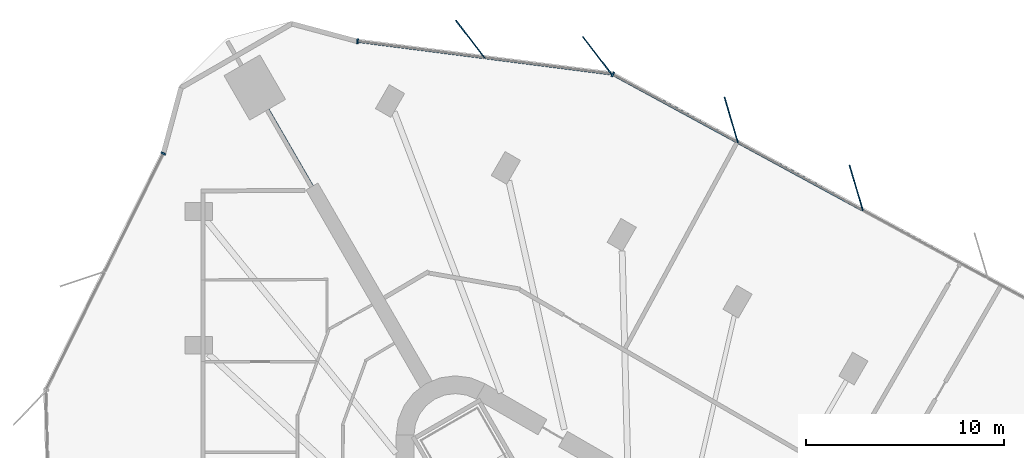
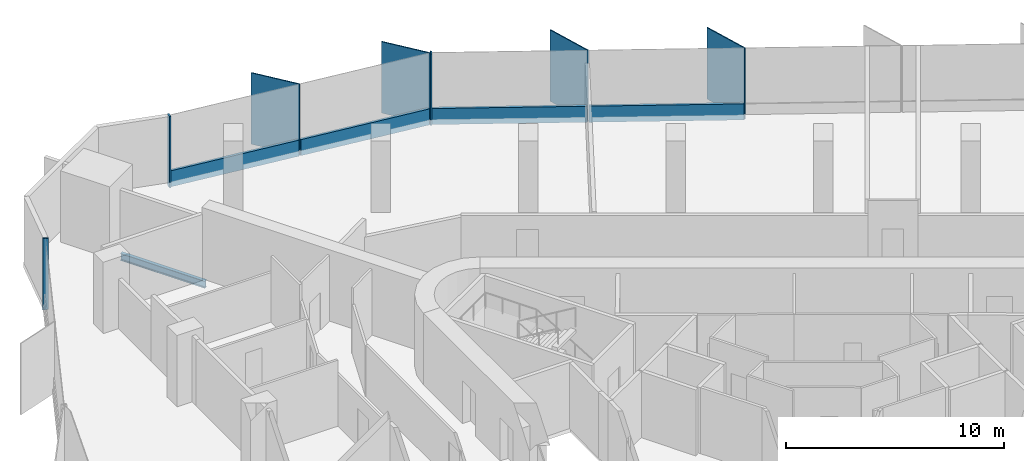
# One storey, part 6 of 14: 11 members, 1 beam, 3 elements without a shape of their own.
"""IFC4 building model written with IfcOpenShell, lengths in metres."""

from ifc_helpers import new_model, si_unit, direction, frame, origin, origin_2d, place, context, subcontext, project, spatial, rectangle, i_section, extrude, material, material_profile, profile_set, type_object, element, aggregate, save


model = new_model("IFC4")

# Units and contexts
model_context = context("Model", 3, precision=1e-05, world=origin(), true_north=direction((0.0, 1.0)))
body_context = subcontext(model_context, "Body", "Model", "MODEL_VIEW")
ifc_project = project(units=[si_unit("LENGTHUNIT", "METRE"), si_unit("AREAUNIT", "SQUARE_METRE"), si_unit("VOLUMEUNIT", "CUBIC_METRE"), si_unit("PLANEANGLEUNIT", "RADIAN"), si_unit("MASSUNIT", "GRAM", prefix="KILO")], contexts=[model_context])

# Site, building, storey
site_placement = place(None, origin())
site = spatial("IfcSite", under=ifc_project, at=site_placement, CompositionType="ELEMENT")
building_placement = place(site_placement, origin())
building = spatial("IfcBuilding", under=site, at=building_placement, Name="Tanit Gate Tower", CompositionType="ELEMENT")
storey_placement = place(building_placement, frame((0.0, 0.0, 221.199951171875)))
storey = spatial("IfcBuildingStorey", under=building, at=storey_placement, Name="L49", CompositionType="ELEMENT", Elevation=221.199951171875)

# Curtain wall, members
ifc_material_1 = material(Name="Aluminium bronze anodised and glass", Category="aluminium")
curtain_wall_type = type_object("IfcCurtainWallType", Name="Curtain wall typical mid", PredefinedType="NOTDEFINED", material=ifc_material_1)
curtain_wall_1_placement = place(storey_placement, origin())
curtain_wall_1 = element("IfcCurtainWall", 1, at=curtain_wall_1_placement, inside=storey, type_object=curtain_wall_type, Name="Curtain wall L49 NE2", PredefinedType="NOTDEFINED")
ifc_material_2 = material(Name="Aluminium bronze anodised", Category="aluminium")
ifc_material_profile_1 = material_profile(ifc_material_2, rectangle(XDim=2.39990234375, YDim=0.055908203125, at=origin_2d()), Name="56x2400 bronze fin mullion")
ifc_profile_set_1 = profile_set([ifc_material_profile_1], Name="Aluminium bronze anodised")
member_type_1 = type_object("IfcMemberType", Name="FIN MULLION 56x2400 bronze", PredefinedType="MULLION", material=ifc_profile_set_1)
member_1_placement = place(storey_placement, frame((11.185546875, 28.281982421875, -0.300048828125), z_axis=(0.0, 0.0, 1.0), x_axis=(0.283905588939, -0.958852239174, 0.0)))
member_1 = element("IfcMember", 2, at=member_1_placement, type_object=member_type_1, Name="Fin mullion L49 NE2.4", PredefinedType="MULLION", context=body_context, shape_type="SweptSolid", body=[
    extrude(rectangle(XDim=2.39990234375, YDim=0.055908203125, at=origin_2d()), origin(), (0.0, 0.0, 1.0), 4.0),
])
member_2_placement = place(storey_placement, frame((4.85888671875, 31.718017578125, -0.300048828125), z_axis=(0.0, 0.0, 1.0), x_axis=(0.283905588939, -0.958852239174, 0.0)))
member_2 = element("IfcMember", 3, at=member_2_placement, type_object=member_type_1, Name="Fin mullion L49 NE2.5", PredefinedType="MULLION", context=body_context, shape_type="SweptSolid", body=[
    extrude(rectangle(XDim=2.39990234375, YDim=0.055908203125, at=origin_2d()), origin(), (0.0, 0.0, 1.0), 4.0),
])

curtain_wall_2_placement = place(storey_placement, origin())
curtain_wall_2 = element("IfcCurtainWall", 4, at=curtain_wall_2_placement, inside=storey, type_object=curtain_wall_type, Name="Curtain wall L49 NE3", PredefinedType="NOTDEFINED")
member_3_placement = place(storey_placement, frame((-1.928466796875, 34.981201171875, -0.300048828125), z_axis=(0.0, 0.0, 1.0), x_axis=(0.611136893186, -0.791524919246, 0.0)))
member_3 = element("IfcMember", 5, at=member_3_placement, type_object=member_type_1, Name="Fin mullion L49 NE3.1", PredefinedType="MULLION", context=body_context, shape_type="SweptSolid", body=[
    extrude(rectangle(XDim=2.39990234375, YDim=0.055908203125, at=origin_2d()), origin(), (0.0, 0.0, 1.0), 4.0),
])
member_4_placement = place(storey_placement, frame((-8.352294921875, 35.807373046875, -0.300048828125), z_axis=(0.0, 0.0, 1.0), x_axis=(0.611136893186, -0.791524919246, 0.0)))
member_4 = element("IfcMember", 6, at=member_4_placement, type_object=member_type_1, Name="Fin mullion L49 NE3.2", PredefinedType="MULLION", context=body_context, shape_type="SweptSolid", body=[
    extrude(rectangle(XDim=2.39990234375, YDim=0.055908203125, at=origin_2d()), origin(), (0.0, 0.0, 1.0), 4.0),
])

# Member
ifc_material_3 = material(Name="Aluminium bronze anodised", Category="aluminium")
ifc_material_profile_2 = material_profile(ifc_material_3, rectangle(XDim=0.260009765625, YDim=0.080078125, at=origin_2d()), Name="80x260 bronze mullion")
ifc_profile_set_2 = profile_set([ifc_material_profile_2], Name="Aluminium bronze anodised")
member_type_2 = type_object("IfcMemberType", Name="Mullion 80x260 typical mid", PredefinedType="MULLION", material=ifc_profile_set_2)
member_5_placement = place(storey_placement, frame((-1.13330078125, 34.02392578125, -0.300048828125), z_axis=(0.0, 0.0, 1.0), x_axis=(-0.477259353321, -0.878762487631, 0.0)))
member_5 = element("IfcMember", 7, at=member_5_placement, type_object=member_type_2, Name="Mullion L49 NE2.6", PredefinedType="MULLION", context=body_context, shape_type="SweptSolid", body=[
    extrude(rectangle(XDim=0.260009765625, YDim=0.080078125, at=origin_2d()), origin(), (0.0, 0.0, 1.0), 4.0),
])

member_6_placement = place(storey_placement, frame((-14.055419921875, 35.700439453125, -0.300048828125), z_axis=(0.0, 0.0, 1.0), x_axis=(-0.127553596472, -0.991831679282, 0.0)))
member_6 = element("IfcMember", 8, at=member_6_placement, type_object=member_type_2, Name="Mullion L49 NE3.3", PredefinedType="MULLION", context=body_context, shape_type="SweptSolid", body=[
    extrude(rectangle(XDim=0.260009765625, YDim=0.080078125, at=origin_2d()), origin(), (0.0, 0.0, 1.0), 4.0),
])

# Curtain wall, member
curtain_wall_3_placement = place(storey_placement, origin())
curtain_wall_3 = element("IfcCurtainWall", 9, at=curtain_wall_3_placement, inside=storey, type_object=curtain_wall_type, Name="Curtain wall L49 W1", PredefinedType="NOTDEFINED")
member_7_placement = place(storey_placement, frame((-23.89306640625, 30.019775390625, -0.300048828125), z_axis=(0.0, 0.0, 1.0), x_axis=(0.895875921171, -0.444304325734, 0.0)))
member_7 = element("IfcMember", 10, at=member_7_placement, type_object=member_type_2, Name="Mullion L49 W1.1", PredefinedType="MULLION", context=body_context, shape_type="SweptSolid", body=[
    extrude(rectangle(XDim=0.260009765625, YDim=0.080078125, at=origin_2d()), origin(), (0.0, 0.0, 1.0), 4.0),
])
aggregate(curtain_wall_3, [member_7])

# Beam
ifc_material_4 = material(Name="Steel S355", Category="steel")
ifc_material_profile_3 = material_profile(ifc_material_4, i_section(OverallWidth=0.179931640625, OverallDepth=0.39990234375, WebThickness=0.008544921875, FlangeThickness=0.013427734375, FilletRadius=0.02099609375, at=origin_2d()), Name="IPE 400")
ifc_profile_set_3 = profile_set([ifc_material_profile_3], Name="Steel S355")
beam_type = type_object("IfcBeamType", Name="RADIAL GIRDER IPE 400 S355", PredefinedType="BEAM", material=ifc_profile_set_3)
beam_placement = place(storey_placement, frame((-18.607666015625, 32.2294921875, -0.5), z_axis=(0.500003645003, -0.866023299331, 0.0), x_axis=(0.866023299331, 0.500003645003, 0.0)))
element("IfcBeam", 11, at=beam_placement, inside=storey, type_object=beam_type, Name="RADIAL GIRDER", PredefinedType="BEAM", context=body_context, shape_type="SweptSolid", body=[
    extrude(i_section(OverallWidth=0.179931640625, OverallDepth=0.39990234375, WebThickness=0.008544921875, FlangeThickness=0.013427734375, FilletRadius=0.02099609375, at=origin_2d()), origin(), (0.0, 0.0, 1.0), 4.484375),
])

# Member
ifc_material_5 = material(Name="Aluminium bronze anodised", Category="aluminium")
ifc_material_profile_4 = material_profile(ifc_material_5, rectangle(XDim=0.139892578125, YDim=0.89990234375, at=origin_2d()), Name="140x900 bronze transom")
ifc_profile_set_4 = profile_set([ifc_material_profile_4], Name="Aluminium bronze anodised")
member_type_3 = type_object("IfcMemberType", Name="Transom 140x900 typical mid", PredefinedType="USERDEFINED", material=ifc_profile_set_4)
member_8_placement = place(storey_placement, frame((11.485107421875, 27.1708984375, 0.150146484375), z_axis=(-0.878764273832, 0.477256064432, 0.0), x_axis=(-0.477256064432, -0.878764273832, 0.0)))
member_8 = element("IfcMember", 12, at=member_8_placement, type_object=member_type_3, Name="Transom L49 NE2.4", ObjectType="TRANSOM", PredefinedType="USERDEFINED", context=body_context, shape_type="SweptSolid", body=[
    extrude(rectangle(XDim=0.139892578125, YDim=0.89990234375, at=origin_2d()), origin(), (0.0, 0.0, 1.0), 7.119873046875),
])

member_9_placement = place(storey_placement, frame((5.158203125, 30.60693359375, 0.150146484375), z_axis=(-0.878756463002, 0.477270446112, 0.0), x_axis=(-0.477270446112, -0.878756463002, 0.0)))
member_9 = element("IfcMember", 13, at=member_9_placement, type_object=member_type_3, Name="Transom L49 NE2.5", ObjectType="TRANSOM", PredefinedType="USERDEFINED", context=body_context, shape_type="SweptSolid", body=[
    extrude(rectangle(XDim=0.139892578125, YDim=0.89990234375, at=origin_2d()), origin(), (0.0, 0.0, 1.0), 7.11962890625),
])

aggregate(curtain_wall_1, [member_1, member_2, member_5, member_8, member_9])

member_10_placement = place(storey_placement, frame((-1.247802734375, 34.05322265625, 0.150146484375), z_axis=(-0.991831223032, 0.12755714413, 0.0), x_axis=(-0.12755714413, -0.991831223032, 0.0)))
member_10 = element("IfcMember", 14, at=member_10_placement, type_object=member_type_3, Name="Transom L49 NE3.1", ObjectType="TRANSOM", PredefinedType="USERDEFINED", context=body_context, shape_type="SweptSolid", body=[
    extrude(rectangle(XDim=0.139892578125, YDim=0.89990234375, at=origin_2d()), origin(), (0.0, 0.0, 1.0), 6.396484375),
])

member_11_placement = place(storey_placement, frame((-7.67138671875, 34.87939453125, 0.150146484375), z_axis=(-0.991831223032, 0.12755714413, 0.0), x_axis=(-0.12755714413, -0.991831223032, 0.0)))
member_11 = element("IfcMember", 15, at=member_11_placement, type_object=member_type_3, Name="Transom L49 NE3.2", ObjectType="TRANSOM", PredefinedType="USERDEFINED", context=body_context, shape_type="SweptSolid", body=[
    extrude(rectangle(XDim=0.139892578125, YDim=0.89990234375, at=origin_2d()), origin(), (0.0, 0.0, 1.0), 6.396484375),
])

aggregate(curtain_wall_2, [member_3, member_4, member_6, member_10, member_11])

save(model, "model.ifc")
